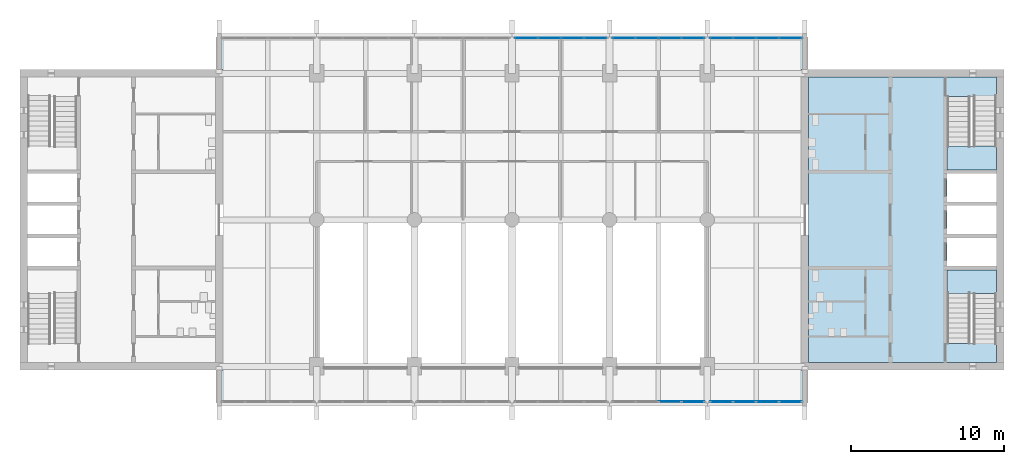
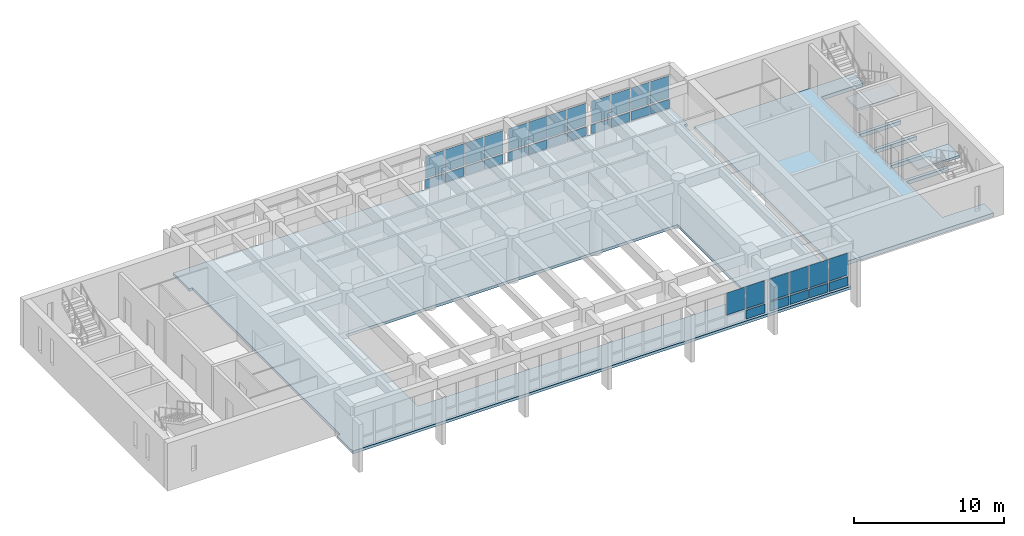
# One storey, part 8 of 15: 35 plates, 4 slabs, 7 elements without a shape of their own.
"""IFC4 building model written with IfcOpenShell, lengths in metres."""

from ifc_helpers import new_model, si_unit, direction, frame, origin, origin_2d, place, context, subcontext, project, spatial, polyline, rectangle, outline, extrude, material, layer, layer_set, type_object, element, aggregate, save


model = new_model("IFC4")

# Units and contexts
model_context = context("Model", 3, precision=1e-05, world=origin(), true_north=direction((0.0, 1.0)))
body_context = subcontext(model_context, "Body", "Model", "MODEL_VIEW")
ifc_project = project(units=[si_unit("LENGTHUNIT", "METRE"), si_unit("AREAUNIT", "SQUARE_METRE"), si_unit("VOLUMEUNIT", "CUBIC_METRE"), si_unit("PLANEANGLEUNIT", "RADIAN"), si_unit("MASSUNIT", "GRAM", prefix="KILO")], contexts=[model_context])

# Site, building, storey
site_placement = place(None, origin())
site = spatial("IfcSite", under=ifc_project, at=site_placement, CompositionType="ELEMENT")
building_placement = place(site_placement, origin())
building = spatial("IfcBuilding", under=site, at=building_placement, Name="Fogon Plaza Fire Station and Headquarters Tower", CompositionType="ELEMENT")
storey_placement = place(building_placement, frame((0.0, 0.0, 36.60009765625)))
storey = spatial("IfcBuildingStorey", under=building, at=storey_placement, Name="L09", CompositionType="ELEMENT", Elevation=36.60009765625)

# Slabs
ifc_material_1 = material(Name="Concrete C40", Category="concrete")
ifc_layer_1 = layer(ifc_material_1, 0.300048828125)
ifc_layer_set_1 = layer_set([ifc_layer_1], Name="Concrete C40")
slab_type_1 = type_object("IfcSlabType", Name="Core Floor Slab RC 300", PredefinedType="FLOOR", material=ifc_layer_set_1)
slab_1_placement = place(storey_placement, frame((0.0, 0.0, -0.300048828125)))
element("IfcSlab", 1, at=slab_1_placement, inside=storey, type_object=slab_type_1, Name="Core B floor", PredefinedType="FLOOR", context=body_context, shape_type="SweptSolid", body=[
    extrude(outline(polyline([(76.550048828125, 35.110107421875), (73.324951171875, 35.110107421875), (73.324951171875, 39.925048828125), (76.550048828125, 39.925048828125), (76.550048828125, 40.175048828125), (73.324951171875, 40.175048828125), (73.324951171875, 42.02490234375), (76.550048828125, 42.02490234375), (76.550048828125, 42.27490234375), (73.324951171875, 42.27490234375), (73.324951171875, 44.125), (76.550048828125, 44.125), (76.550048828125, 44.375), (73.324951171875, 44.375), (73.324951171875, 46.22509765625), (76.550048828125, 46.22509765625), (76.550048828125, 46.47509765625), (73.324951171875, 46.47509765625), (73.324951171875, 51.2900390625), (76.550048828125, 51.2900390625), (76.550048828125, 52.550048828125), (64.25, 52.550048828125), (64.25, 33.85009765625), (76.550048828125, 33.85009765625), (76.550048828125, 35.110107421875)])), origin(), (0.0, 0.0, 1.0), 0.300048828125),
])
ifc_material_2 = material(Name="Concrete C40", Category="concrete")
ifc_layer_2 = layer(ifc_material_2, 0.219970703125)
ifc_layer_set_2 = layer_set([ifc_layer_2], Name="Concrete C40")
slab_type_2 = type_object("IfcSlabType", Name="Floor slab 220 S22", PredefinedType="FLOOR", material=ifc_layer_set_2)
slab_2_placement = place(storey_placement, frame((0.0, 0.0, -0.22021484375)))
element("IfcSlab", 2, at=slab_2_placement, inside=storey, type_object=slab_type_2, Name="slab-L09-bar", PredefinedType="FLOOR", context=body_context, shape_type="SweptSolid", body=[
    extrude(outline(polyline([(25.60009765625, 31.199951171875), (25.60009765625, 33.35009765625), (25.85009765625, 33.35009765625), (25.85009765625, 53.050048828125), (25.60009765625, 53.050048828125), (25.60009765625, 55.199951171875), (64.0, 55.199951171875), (64.0, 53.050048828125), (63.75, 53.050048828125), (63.75, 33.35009765625), (64.0, 33.35009765625), (64.0, 31.199951171875), (25.60009765625, 31.199951171875)]), holes=[polyline([(57.60009765625, 43.199951171875), (32.0, 43.199951171875), (32.0, 33.60009765625), (57.60009765625, 33.60009765625), (57.60009765625, 43.199951171875)])]), origin(), (0.0, 0.0, 1.0), 0.22021484375),
])

# Curtain wall, plate
ifc_material_3 = material(Name="Aluminium and glass", Category="aluminium")
ifc_layer_3 = layer(ifc_material_3, 0.14990234375)
ifc_layer_set_3 = layer_set([ifc_layer_3], Name="Aluminium and glass")
curtain_wall_type = type_object("IfcCurtainWallType", Name="Unitised Curtain Wall Run 6100x2880", PredefinedType="NOTDEFINED", material=ifc_layer_set_3)
curtain_wall_1_placement = place(storey_placement, origin())
curtain_wall_1 = element("IfcCurtainWall", 3, at=curtain_wall_1_placement, inside=storey, type_object=curtain_wall_type, Name="CW-6100x2880 S5 L09", PredefinedType="NOTDEFINED")
ifc_material_4 = material(Name="Insulated aluminium spandrel", Category="aluminium")
ifc_layer_4 = layer(ifc_material_4, 0.06005859375)
ifc_layer_set_4 = layer_set([ifc_layer_4], Name="Insulated aluminium spandrel")
plate_type_1 = type_object("IfcPlateType", Name="Insulated Spandrel Panel", PredefinedType="CURTAIN_PANEL", material=ifc_layer_set_4)
plate_1_placement = place(storey_placement, frame((56.6650390625, 31.280029296875, 0.1201171875), z_axis=(0.0, 0.0, 1.0), x_axis=(1.0, 0.0, 0.0)))
plate_1 = element("IfcPlate", 4, at=plate_1_placement, type_object=plate_type_1, Name="SP1 panel 4.1", PredefinedType="CURTAIN_PANEL", context=body_context, shape_type="SweptSolid", body=[
    extrude(rectangle(XDim=1.449951171875, YDim=0.06005859375, at=origin_2d()), origin(), (0.0, 0.0, 1.0), 0.719970703125),
])

# Curtain wall, plates
curtain_wall_2_placement = place(storey_placement, origin())
curtain_wall_2 = element("IfcCurtainWall", 5, at=curtain_wall_2_placement, inside=storey, type_object=curtain_wall_type, Name="CW-6100x2880 S6 L09", PredefinedType="NOTDEFINED")
plate_2_placement = place(storey_placement, frame((58.534912109375, 31.280029296875, 0.1201171875), z_axis=(0.0, 0.0, 1.0), x_axis=(1.0, 0.0, 0.0)))
plate_2 = element("IfcPlate", 6, at=plate_2_placement, type_object=plate_type_1, Name="SP1 panel 1.1", PredefinedType="CURTAIN_PANEL", context=body_context, shape_type="SweptSolid", body=[
    extrude(rectangle(XDim=1.449951171875, YDim=0.06005859375, at=origin_2d()), origin(), (0.0, 0.0, 1.0), 0.719970703125),
])
plate_3_placement = place(storey_placement, frame((60.044921875, 31.280029296875, 0.1201171875), z_axis=(0.0, 0.0, 1.0), x_axis=(1.0, 0.0, 0.0)))
plate_3 = element("IfcPlate", 7, at=plate_3_placement, type_object=plate_type_1, Name="SP1 panel 2.1", PredefinedType="CURTAIN_PANEL", context=body_context, shape_type="SweptSolid", body=[
    extrude(rectangle(XDim=1.449951171875, YDim=0.06005859375, at=origin_2d()), origin(), (0.0, 0.0, 1.0), 0.719970703125),
])
plate_4_placement = place(storey_placement, frame((61.554931640625, 31.280029296875, 0.1201171875), z_axis=(0.0, 0.0, 1.0), x_axis=(1.0, 0.0, 0.0)))
plate_4 = element("IfcPlate", 8, at=plate_4_placement, type_object=plate_type_1, Name="SP1 panel 3.1", PredefinedType="CURTAIN_PANEL", context=body_context, shape_type="SweptSolid", body=[
    extrude(rectangle(XDim=1.449951171875, YDim=0.06005859375, at=origin_2d()), origin(), (0.0, 0.0, 1.0), 0.719970703125),
])
plate_5_placement = place(storey_placement, frame((63.06494140625, 31.280029296875, 0.1201171875), z_axis=(0.0, 0.0, 1.0), x_axis=(1.0, 0.0, 0.0)))
plate_5 = element("IfcPlate", 9, at=plate_5_placement, type_object=plate_type_1, Name="SP1 panel 4.1", PredefinedType="CURTAIN_PANEL", context=body_context, shape_type="SweptSolid", body=[
    extrude(rectangle(XDim=1.449951171875, YDim=0.06005859375, at=origin_2d()), origin(), (0.0, 0.0, 1.0), 0.719970703125),
])

curtain_wall_3_placement = place(storey_placement, origin())
curtain_wall_3 = element("IfcCurtainWall", 10, at=curtain_wall_3_placement, inside=storey, type_object=curtain_wall_type, Name="CW-6100x2880 N4 L09", PredefinedType="NOTDEFINED")
plate_6_placement = place(storey_placement, frame((45.735107421875, 55.1201171875, 0.1201171875), z_axis=(0.0, 0.0, 1.0), x_axis=(1.0, 0.0, 0.0)))
plate_6 = element("IfcPlate", 11, at=plate_6_placement, type_object=plate_type_1, Name="SP1 panel 1.1", PredefinedType="CURTAIN_PANEL", context=body_context, shape_type="SweptSolid", body=[
    extrude(rectangle(XDim=1.449951171875, YDim=0.06005859375, at=origin_2d()), origin(), (0.0, 0.0, 1.0), 0.719970703125),
])
plate_7_placement = place(storey_placement, frame((47.2451171875, 55.1201171875, 0.1201171875), z_axis=(0.0, 0.0, 1.0), x_axis=(1.0, 0.0, 0.0)))
plate_7 = element("IfcPlate", 12, at=plate_7_placement, type_object=plate_type_1, Name="SP1 panel 2.1", PredefinedType="CURTAIN_PANEL", context=body_context, shape_type="SweptSolid", body=[
    extrude(rectangle(XDim=1.449951171875, YDim=0.06005859375, at=origin_2d()), origin(), (0.0, 0.0, 1.0), 0.719970703125),
])
plate_8_placement = place(storey_placement, frame((48.7548828125, 55.1201171875, 0.1201171875), z_axis=(0.0, 0.0, 1.0), x_axis=(1.0, 0.0, 0.0)))
plate_8 = element("IfcPlate", 13, at=plate_8_placement, type_object=plate_type_1, Name="SP1 panel 3.1", PredefinedType="CURTAIN_PANEL", context=body_context, shape_type="SweptSolid", body=[
    extrude(rectangle(XDim=1.449951171875, YDim=0.06005859375, at=origin_2d()), origin(), (0.0, 0.0, 1.0), 0.719970703125),
])
plate_9_placement = place(storey_placement, frame((50.264892578125, 55.1201171875, 0.1201171875), z_axis=(0.0, 0.0, 1.0), x_axis=(1.0, 0.0, 0.0)))
plate_9 = element("IfcPlate", 14, at=plate_9_placement, type_object=plate_type_1, Name="SP1 panel 4.1", PredefinedType="CURTAIN_PANEL", context=body_context, shape_type="SweptSolid", body=[
    extrude(rectangle(XDim=1.449951171875, YDim=0.06005859375, at=origin_2d()), origin(), (0.0, 0.0, 1.0), 0.719970703125),
])

curtain_wall_4_placement = place(storey_placement, origin())
curtain_wall_4 = element("IfcCurtainWall", 15, at=curtain_wall_4_placement, inside=storey, type_object=curtain_wall_type, Name="CW-6100x2880 N5 L09", PredefinedType="NOTDEFINED")
plate_10_placement = place(storey_placement, frame((52.135009765625, 55.1201171875, 0.1201171875), z_axis=(0.0, 0.0, 1.0), x_axis=(1.0, 0.0, 0.0)))
plate_10 = element("IfcPlate", 16, at=plate_10_placement, type_object=plate_type_1, Name="SP1 panel 1.1", PredefinedType="CURTAIN_PANEL", context=body_context, shape_type="SweptSolid", body=[
    extrude(rectangle(XDim=1.449951171875, YDim=0.06005859375, at=origin_2d()), origin(), (0.0, 0.0, 1.0), 0.719970703125),
])
plate_11_placement = place(storey_placement, frame((53.64501953125, 55.1201171875, 0.1201171875), z_axis=(0.0, 0.0, 1.0), x_axis=(1.0, 0.0, 0.0)))
plate_11 = element("IfcPlate", 17, at=plate_11_placement, type_object=plate_type_1, Name="SP1 panel 2.1", PredefinedType="CURTAIN_PANEL", context=body_context, shape_type="SweptSolid", body=[
    extrude(rectangle(XDim=1.449951171875, YDim=0.06005859375, at=origin_2d()), origin(), (0.0, 0.0, 1.0), 0.719970703125),
])
plate_12_placement = place(storey_placement, frame((55.155029296875, 55.1201171875, 0.1201171875), z_axis=(0.0, 0.0, 1.0), x_axis=(1.0, 0.0, 0.0)))
plate_12 = element("IfcPlate", 18, at=plate_12_placement, type_object=plate_type_1, Name="SP1 panel 3.1", PredefinedType="CURTAIN_PANEL", context=body_context, shape_type="SweptSolid", body=[
    extrude(rectangle(XDim=1.449951171875, YDim=0.06005859375, at=origin_2d()), origin(), (0.0, 0.0, 1.0), 0.719970703125),
])
plate_13_placement = place(storey_placement, frame((56.6650390625, 55.1201171875, 0.1201171875), z_axis=(0.0, 0.0, 1.0), x_axis=(1.0, 0.0, 0.0)))
plate_13 = element("IfcPlate", 19, at=plate_13_placement, type_object=plate_type_1, Name="SP1 panel 4.1", PredefinedType="CURTAIN_PANEL", context=body_context, shape_type="SweptSolid", body=[
    extrude(rectangle(XDim=1.449951171875, YDim=0.06005859375, at=origin_2d()), origin(), (0.0, 0.0, 1.0), 0.719970703125),
])

curtain_wall_5_placement = place(storey_placement, origin())
curtain_wall_5 = element("IfcCurtainWall", 20, at=curtain_wall_5_placement, inside=storey, type_object=curtain_wall_type, Name="CW-6100x2880 N6 L09", PredefinedType="NOTDEFINED")
plate_14_placement = place(storey_placement, frame((58.534912109375, 55.1201171875, 0.1201171875), z_axis=(0.0, 0.0, 1.0), x_axis=(1.0, 0.0, 0.0)))
plate_14 = element("IfcPlate", 21, at=plate_14_placement, type_object=plate_type_1, Name="SP1 panel 1.1", PredefinedType="CURTAIN_PANEL", context=body_context, shape_type="SweptSolid", body=[
    extrude(rectangle(XDim=1.449951171875, YDim=0.06005859375, at=origin_2d()), origin(), (0.0, 0.0, 1.0), 0.719970703125),
])
plate_15_placement = place(storey_placement, frame((60.044921875, 55.1201171875, 0.1201171875), z_axis=(0.0, 0.0, 1.0), x_axis=(1.0, 0.0, 0.0)))
plate_15 = element("IfcPlate", 22, at=plate_15_placement, type_object=plate_type_1, Name="SP1 panel 2.1", PredefinedType="CURTAIN_PANEL", context=body_context, shape_type="SweptSolid", body=[
    extrude(rectangle(XDim=1.449951171875, YDim=0.06005859375, at=origin_2d()), origin(), (0.0, 0.0, 1.0), 0.719970703125),
])
plate_16_placement = place(storey_placement, frame((61.554931640625, 55.1201171875, 0.1201171875), z_axis=(0.0, 0.0, 1.0), x_axis=(1.0, 0.0, 0.0)))
plate_16 = element("IfcPlate", 23, at=plate_16_placement, type_object=plate_type_1, Name="SP1 panel 3.1", PredefinedType="CURTAIN_PANEL", context=body_context, shape_type="SweptSolid", body=[
    extrude(rectangle(XDim=1.449951171875, YDim=0.06005859375, at=origin_2d()), origin(), (0.0, 0.0, 1.0), 0.719970703125),
])
plate_17_placement = place(storey_placement, frame((63.06494140625, 55.1201171875, 0.1201171875), z_axis=(0.0, 0.0, 1.0), x_axis=(1.0, 0.0, 0.0)))
plate_17 = element("IfcPlate", 24, at=plate_17_placement, type_object=plate_type_1, Name="SP1 panel 4.1", PredefinedType="CURTAIN_PANEL", context=body_context, shape_type="SweptSolid", body=[
    extrude(rectangle(XDim=1.449951171875, YDim=0.06005859375, at=origin_2d()), origin(), (0.0, 0.0, 1.0), 0.719970703125),
])

# Stair, slab
ifc_material_5 = material(Name="Concrete C40", Category="concrete")
stair_type = type_object("IfcStairType", Name="Exit Stair Two Flights", PredefinedType="TWO_STRAIGHT_RUN_STAIR", material=ifc_material_5)
stair_1_placement = place(storey_placement, origin())
stair_1 = element("IfcStair", 25, at=stair_1_placement, inside=storey, type_object=stair_type, Name="Stair ST3", PredefinedType="TWO_STRAIGHT_RUN_STAIR")
ifc_material_6 = material(Name="Concrete C40", Category="concrete")
ifc_layer_5 = layer(ifc_material_6, 0.300048828125)
ifc_layer_set_5 = layer_set([ifc_layer_5], Name="Concrete C40")
slab_type_3 = type_object("IfcSlabType", Name="Stair Landing RC 300", PredefinedType="LANDING", material=ifc_layer_set_5)
slab_3_placement = place(storey_placement, frame((0.0, 0.0, 1.75)))
slab_3 = element("IfcSlab", 26, at=slab_3_placement, type_object=slab_type_3, Name="ST3 landing L11", PredefinedType="LANDING", context=body_context, shape_type="SweptSolid", body=[
    extrude(outline(polyline([(73.324951171875, 38.375), (76.550048828125, 38.375), (76.550048828125, 39.925048828125), (73.324951171875, 39.925048828125), (73.324951171875, 38.375)])), origin(), (0.0, 0.0, 1.0), 0.199951171875),
])
aggregate(stair_1, [slab_3])

stair_2_placement = place(storey_placement, origin())
stair_2 = element("IfcStair", 27, at=stair_2_placement, inside=storey, type_object=stair_type, Name="Stair ST4", PredefinedType="TWO_STRAIGHT_RUN_STAIR")
slab_4_placement = place(storey_placement, frame((0.0, 0.0, 1.75)))
slab_4 = element("IfcSlab", 28, at=slab_4_placement, type_object=slab_type_3, Name="ST4 landing L11", PredefinedType="LANDING", context=body_context, shape_type="SweptSolid", body=[
    extrude(outline(polyline([(73.324951171875, 46.47509765625), (76.550048828125, 46.47509765625), (76.550048828125, 48.02490234375), (73.324951171875, 48.02490234375), (73.324951171875, 46.47509765625)])), origin(), (0.0, 0.0, 1.0), 0.199951171875),
])
aggregate(stair_2, [slab_4])

# Plate
ifc_material_7 = material(Name="Low-e double glazing", Category="glass")
ifc_layer_6 = layer(ifc_material_7, 0.028076171875)
ifc_layer_set_6 = layer_set([ifc_layer_6], Name="Low-e double glazing")
plate_type_2 = type_object("IfcPlateType", Name="Vision Glass Panel 1450x1800", PredefinedType="CURTAIN_PANEL", material=ifc_layer_set_6)
plate_18_placement = place(storey_placement, frame((55.155029296875, 31.280029296875, 0.9599609375), z_axis=(0.0, 0.0, 1.0), x_axis=(1.0, 0.0, 0.0)))
plate_18 = element("IfcPlate", 29, at=plate_18_placement, type_object=plate_type_2, Name="VG-1450x1800 panel 3.2", PredefinedType="CURTAIN_PANEL", context=body_context, shape_type="SweptSolid", body=[
    extrude(rectangle(XDim=1.449951171875, YDim=0.028076171875, at=origin_2d()), origin(), (0.0, 0.0, 1.0), 1.800048828125),
])

plate_19_placement = place(storey_placement, frame((56.6650390625, 31.280029296875, 0.9599609375), z_axis=(0.0, 0.0, 1.0), x_axis=(1.0, 0.0, 0.0)))
plate_19 = element("IfcPlate", 30, at=plate_19_placement, type_object=plate_type_2, Name="VG-1450x1800 panel 4.2", PredefinedType="CURTAIN_PANEL", context=body_context, shape_type="SweptSolid", body=[
    extrude(rectangle(XDim=1.449951171875, YDim=0.028076171875, at=origin_2d()), origin(), (0.0, 0.0, 1.0), 1.800048828125),
])

aggregate(curtain_wall_1, [plate_18, plate_1, plate_19])

plate_20_placement = place(storey_placement, frame((58.534912109375, 31.280029296875, 0.9599609375), z_axis=(0.0, 0.0, 1.0), x_axis=(1.0, 0.0, 0.0)))
plate_20 = element("IfcPlate", 31, at=plate_20_placement, type_object=plate_type_2, Name="VG-1450x1800 panel 1.2", PredefinedType="CURTAIN_PANEL", context=body_context, shape_type="SweptSolid", body=[
    extrude(rectangle(XDim=1.449951171875, YDim=0.028076171875, at=origin_2d()), origin(), (0.0, 0.0, 1.0), 1.800048828125),
])

plate_21_placement = place(storey_placement, frame((60.044921875, 31.280029296875, 0.9599609375), z_axis=(0.0, 0.0, 1.0), x_axis=(1.0, 0.0, 0.0)))
plate_21 = element("IfcPlate", 32, at=plate_21_placement, type_object=plate_type_2, Name="VG-1450x1800 panel 2.2", PredefinedType="CURTAIN_PANEL", context=body_context, shape_type="SweptSolid", body=[
    extrude(rectangle(XDim=1.449951171875, YDim=0.028076171875, at=origin_2d()), origin(), (0.0, 0.0, 1.0), 1.800048828125),
])

plate_22_placement = place(storey_placement, frame((61.554931640625, 31.280029296875, 0.9599609375), z_axis=(0.0, 0.0, 1.0), x_axis=(1.0, 0.0, 0.0)))
plate_22 = element("IfcPlate", 33, at=plate_22_placement, type_object=plate_type_2, Name="VG-1450x1800 panel 3.2", PredefinedType="CURTAIN_PANEL", context=body_context, shape_type="SweptSolid", body=[
    extrude(rectangle(XDim=1.449951171875, YDim=0.028076171875, at=origin_2d()), origin(), (0.0, 0.0, 1.0), 1.800048828125),
])

plate_23_placement = place(storey_placement, frame((63.06494140625, 31.280029296875, 0.9599609375), z_axis=(0.0, 0.0, 1.0), x_axis=(1.0, 0.0, 0.0)))
plate_23 = element("IfcPlate", 34, at=plate_23_placement, type_object=plate_type_2, Name="VG-1450x1800 panel 4.2", PredefinedType="CURTAIN_PANEL", context=body_context, shape_type="SweptSolid", body=[
    extrude(rectangle(XDim=1.449951171875, YDim=0.028076171875, at=origin_2d()), origin(), (0.0, 0.0, 1.0), 1.800048828125),
])

aggregate(curtain_wall_2, [plate_2, plate_20, plate_3, plate_21, plate_4, plate_22, plate_5, plate_23])

plate_24_placement = place(storey_placement, frame((45.735107421875, 55.1201171875, 0.9599609375), z_axis=(0.0, 0.0, 1.0), x_axis=(1.0, 0.0, 0.0)))
plate_24 = element("IfcPlate", 35, at=plate_24_placement, type_object=plate_type_2, Name="VG-1450x1800 panel 1.2", PredefinedType="CURTAIN_PANEL", context=body_context, shape_type="SweptSolid", body=[
    extrude(rectangle(XDim=1.449951171875, YDim=0.028076171875, at=origin_2d()), origin(), (0.0, 0.0, 1.0), 1.800048828125),
])

plate_25_placement = place(storey_placement, frame((47.2451171875, 55.1201171875, 0.9599609375), z_axis=(0.0, 0.0, 1.0), x_axis=(1.0, 0.0, 0.0)))
plate_25 = element("IfcPlate", 36, at=plate_25_placement, type_object=plate_type_2, Name="VG-1450x1800 panel 2.2", PredefinedType="CURTAIN_PANEL", context=body_context, shape_type="SweptSolid", body=[
    extrude(rectangle(XDim=1.449951171875, YDim=0.028076171875, at=origin_2d()), origin(), (0.0, 0.0, 1.0), 1.800048828125),
])

plate_26_placement = place(storey_placement, frame((48.7548828125, 55.1201171875, 0.9599609375), z_axis=(0.0, 0.0, 1.0), x_axis=(1.0, 0.0, 0.0)))
plate_26 = element("IfcPlate", 37, at=plate_26_placement, type_object=plate_type_2, Name="VG-1450x1800 panel 3.2", PredefinedType="CURTAIN_PANEL", context=body_context, shape_type="SweptSolid", body=[
    extrude(rectangle(XDim=1.449951171875, YDim=0.028076171875, at=origin_2d()), origin(), (0.0, 0.0, 1.0), 1.800048828125),
])

plate_27_placement = place(storey_placement, frame((50.264892578125, 55.1201171875, 0.9599609375), z_axis=(0.0, 0.0, 1.0), x_axis=(1.0, 0.0, 0.0)))
plate_27 = element("IfcPlate", 38, at=plate_27_placement, type_object=plate_type_2, Name="VG-1450x1800 panel 4.2", PredefinedType="CURTAIN_PANEL", context=body_context, shape_type="SweptSolid", body=[
    extrude(rectangle(XDim=1.449951171875, YDim=0.028076171875, at=origin_2d()), origin(), (0.0, 0.0, 1.0), 1.800048828125),
])

aggregate(curtain_wall_3, [plate_6, plate_24, plate_7, plate_25, plate_8, plate_26, plate_9, plate_27])

plate_28_placement = place(storey_placement, frame((52.135009765625, 55.1201171875, 0.9599609375), z_axis=(0.0, 0.0, 1.0), x_axis=(1.0, 0.0, 0.0)))
plate_28 = element("IfcPlate", 39, at=plate_28_placement, type_object=plate_type_2, Name="VG-1450x1800 panel 1.2", PredefinedType="CURTAIN_PANEL", context=body_context, shape_type="SweptSolid", body=[
    extrude(rectangle(XDim=1.449951171875, YDim=0.028076171875, at=origin_2d()), origin(), (0.0, 0.0, 1.0), 1.800048828125),
])

plate_29_placement = place(storey_placement, frame((53.64501953125, 55.1201171875, 0.9599609375), z_axis=(0.0, 0.0, 1.0), x_axis=(1.0, 0.0, 0.0)))
plate_29 = element("IfcPlate", 40, at=plate_29_placement, type_object=plate_type_2, Name="VG-1450x1800 panel 2.2", PredefinedType="CURTAIN_PANEL", context=body_context, shape_type="SweptSolid", body=[
    extrude(rectangle(XDim=1.449951171875, YDim=0.028076171875, at=origin_2d()), origin(), (0.0, 0.0, 1.0), 1.800048828125),
])

plate_30_placement = place(storey_placement, frame((55.155029296875, 55.1201171875, 0.9599609375), z_axis=(0.0, 0.0, 1.0), x_axis=(1.0, 0.0, 0.0)))
plate_30 = element("IfcPlate", 41, at=plate_30_placement, type_object=plate_type_2, Name="VG-1450x1800 panel 3.2", PredefinedType="CURTAIN_PANEL", context=body_context, shape_type="SweptSolid", body=[
    extrude(rectangle(XDim=1.449951171875, YDim=0.028076171875, at=origin_2d()), origin(), (0.0, 0.0, 1.0), 1.800048828125),
])

plate_31_placement = place(storey_placement, frame((56.6650390625, 55.1201171875, 0.9599609375), z_axis=(0.0, 0.0, 1.0), x_axis=(1.0, 0.0, 0.0)))
plate_31 = element("IfcPlate", 42, at=plate_31_placement, type_object=plate_type_2, Name="VG-1450x1800 panel 4.2", PredefinedType="CURTAIN_PANEL", context=body_context, shape_type="SweptSolid", body=[
    extrude(rectangle(XDim=1.449951171875, YDim=0.028076171875, at=origin_2d()), origin(), (0.0, 0.0, 1.0), 1.800048828125),
])

aggregate(curtain_wall_4, [plate_10, plate_28, plate_11, plate_29, plate_12, plate_30, plate_13, plate_31])

plate_32_placement = place(storey_placement, frame((58.534912109375, 55.1201171875, 0.9599609375), z_axis=(0.0, 0.0, 1.0), x_axis=(1.0, 0.0, 0.0)))
plate_32 = element("IfcPlate", 43, at=plate_32_placement, type_object=plate_type_2, Name="VG-1450x1800 panel 1.2", PredefinedType="CURTAIN_PANEL", context=body_context, shape_type="SweptSolid", body=[
    extrude(rectangle(XDim=1.449951171875, YDim=0.028076171875, at=origin_2d()), origin(), (0.0, 0.0, 1.0), 1.800048828125),
])

plate_33_placement = place(storey_placement, frame((60.044921875, 55.1201171875, 0.9599609375), z_axis=(0.0, 0.0, 1.0), x_axis=(1.0, 0.0, 0.0)))
plate_33 = element("IfcPlate", 44, at=plate_33_placement, type_object=plate_type_2, Name="VG-1450x1800 panel 2.2", PredefinedType="CURTAIN_PANEL", context=body_context, shape_type="SweptSolid", body=[
    extrude(rectangle(XDim=1.449951171875, YDim=0.028076171875, at=origin_2d()), origin(), (0.0, 0.0, 1.0), 1.800048828125),
])

plate_34_placement = place(storey_placement, frame((61.554931640625, 55.1201171875, 0.9599609375), z_axis=(0.0, 0.0, 1.0), x_axis=(1.0, 0.0, 0.0)))
plate_34 = element("IfcPlate", 45, at=plate_34_placement, type_object=plate_type_2, Name="VG-1450x1800 panel 3.2", PredefinedType="CURTAIN_PANEL", context=body_context, shape_type="SweptSolid", body=[
    extrude(rectangle(XDim=1.449951171875, YDim=0.028076171875, at=origin_2d()), origin(), (0.0, 0.0, 1.0), 1.800048828125),
])

plate_35_placement = place(storey_placement, frame((63.06494140625, 55.1201171875, 0.9599609375), z_axis=(0.0, 0.0, 1.0), x_axis=(1.0, 0.0, 0.0)))
plate_35 = element("IfcPlate", 46, at=plate_35_placement, type_object=plate_type_2, Name="VG-1450x1800 panel 4.2", PredefinedType="CURTAIN_PANEL", context=body_context, shape_type="SweptSolid", body=[
    extrude(rectangle(XDim=1.449951171875, YDim=0.028076171875, at=origin_2d()), origin(), (0.0, 0.0, 1.0), 1.800048828125),
])

aggregate(curtain_wall_5, [plate_14, plate_32, plate_15, plate_33, plate_16, plate_34, plate_17, plate_35])

save(model, "model.ifc")
